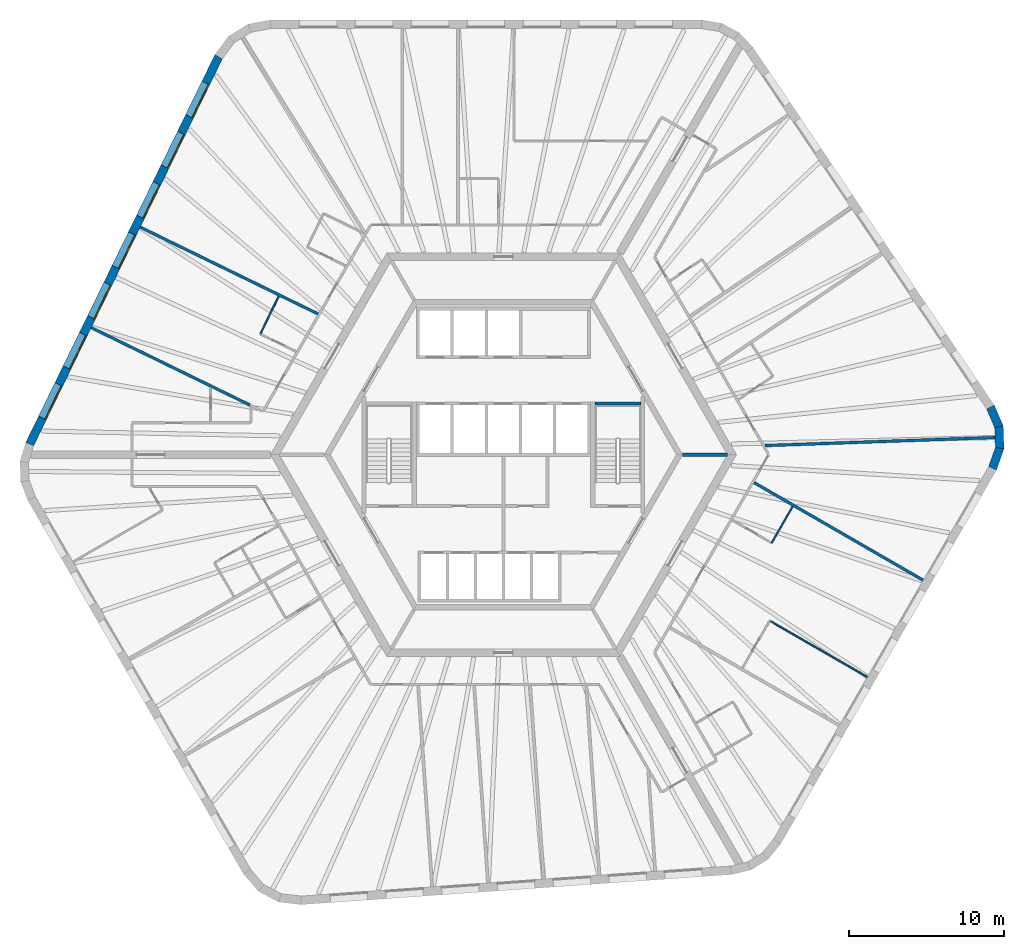
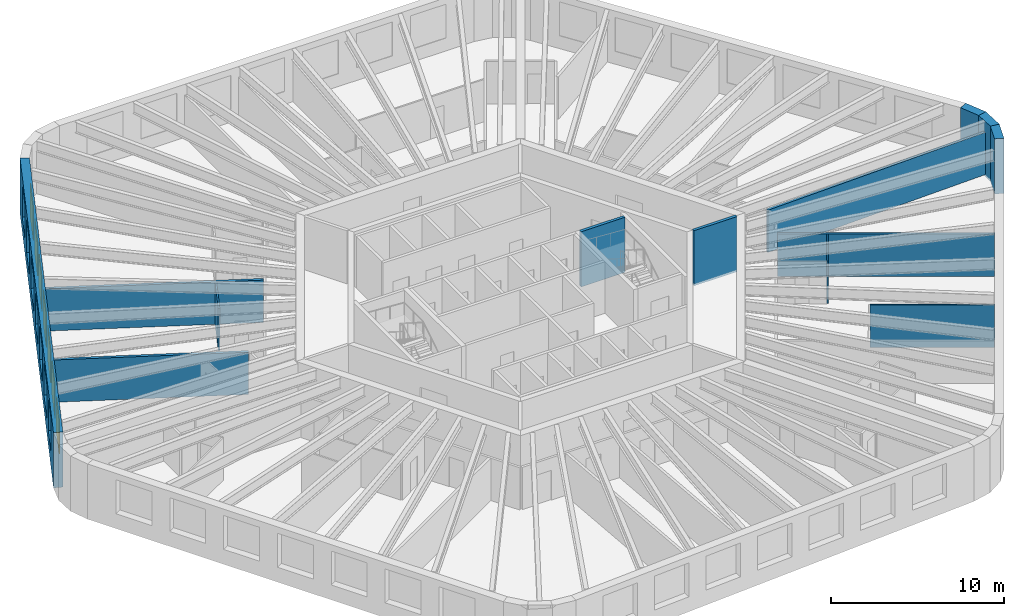
# One storey, part 6 of 10: 13 walls, 7 windows, 7 openings.
"""IFC4 building model written with IfcOpenShell, lengths in metres."""

from ifc_helpers import new_model, si_unit, direction, frame, frame_2d, origin, place, context, subcontext, project, spatial, polyline, rectangle, outline, extrude, material, layer, layer_set, type_object, element, fill, save


model = new_model("IFC4")

# Units and contexts
model_context = context("Model", 3, precision=1e-05, world=origin(), true_north=direction((0.0, 1.0)))
body_context = subcontext(model_context, "Body", "Model", "MODEL_VIEW")
ifc_project = project(units=[si_unit("LENGTHUNIT", "METRE"), si_unit("AREAUNIT", "SQUARE_METRE"), si_unit("VOLUMEUNIT", "CUBIC_METRE"), si_unit("PLANEANGLEUNIT", "RADIAN"), si_unit("MASSUNIT", "GRAM", prefix="KILO")], contexts=[model_context])

# Site, building, storey
site_placement = place(None, origin())
site = spatial("IfcSite", under=ifc_project, at=site_placement, CompositionType="ELEMENT")
building_placement = place(site_placement, origin())
building = spatial("IfcBuilding", under=site, at=building_placement, Name="Tarnside Tower", CompositionType="ELEMENT")
storey_placement = place(building_placement, frame((0.0, 0.0, 230.699951171875)))
storey = spatial("IfcBuildingStorey", under=building, at=storey_placement, Name="L55", CompositionType="ELEMENT", Elevation=230.699951171875)

# Walls
ifc_material_1 = material(Name="Gypsum board partition on steel studs", Category="steel")
ifc_layer_1 = layer(ifc_material_1, 0.10009765625)
ifc_layer_set_1 = layer_set([ifc_layer_1], Name="Bathroom wall 100")
wall_type_1 = type_object("IfcWallType", Name="Bathroom wall 100", PredefinedType="PARTITIONING", material=ifc_layer_set_1)
wall_1_placement = place(storey_placement, frame((-15.640625, 7.8154296875, 0.0), z_axis=(0.0, 0.0, 1.0), x_axis=(0.438380229518, 0.898789616299, 0.0)))
element("IfcWall", 1, at=wall_1_placement, inside=storey, type_object=wall_type_1, Name="Bathroom wall 18065", PredefinedType="PARTITIONING", context=body_context, shape_type="SweptSolid", body=[
    extrude(rectangle(XDim=2.659912109375, YDim=0.10009765625, at=frame_2d((1.330078125, 0.0))), origin(), (0.0, 0.0, 1.0), 2.98779296875),
])
wall_2_placement = place(storey_placement, frame((18.629150390625, -3.333251953125, 0.0), z_axis=(0.0, 0.0, 1.0), x_axis=(-0.499995396135, -0.866028061811, 0.0)))
element("IfcWall", 2, at=wall_2_placement, inside=storey, type_object=wall_type_1, Name="Bathroom wall 18092", PredefinedType="PARTITIONING", context=body_context, shape_type="SweptSolid", body=[
    extrude(rectangle(XDim=2.7099609375, YDim=0.10009765625, at=frame_2d((1.35498046875, 0.0))), origin(), (0.0, 0.0, 1.0), 2.98779296875),
])
ifc_layer_2 = layer(ifc_material_1, 0.179931640625)
ifc_layer_set_2 = layer_set([ifc_layer_2], Name="Demising wall 180 EI 60")
wall_type_2 = type_object("IfcWallType", Name="Demising wall 180 EI 60", PredefinedType="PARTITIONING", material=ifc_layer_set_2)
wall_3_placement = place(storey_placement, frame((-23.392822265625, 14.656005859375, 0.0), z_axis=(0.0, 0.0, 1.0), x_axis=(0.898790356386, -0.438378712152, 0.0)))
element("IfcWall", 3, at=wall_3_placement, inside=storey, type_object=wall_type_2, Name="Demising wall 18062", PredefinedType="PARTITIONING", context=body_context, shape_type="SweptSolid", body=[
    extrude(rectangle(XDim=12.742919921875, YDim=0.179931640625, at=frame_2d((6.37158203125, 0.0))), origin(), (0.0, 0.0, 1.0), 2.98779296875),
])
wall_4_placement = place(storey_placement, frame((-26.549072265625, 8.1845703125, 0.0), z_axis=(0.0, 0.0, 1.0), x_axis=(0.898794655758, -0.438369897211, 0.0)))
element("IfcWall", 4, at=wall_4_placement, inside=storey, type_object=wall_type_2, Name="Demising wall 18066", PredefinedType="PARTITIONING", context=body_context, shape_type="SweptSolid", body=[
    extrude(rectangle(XDim=11.36865234375, YDim=0.179931640625, at=frame_2d((5.684326171875, 0.0))), origin(), (0.0, 0.0, 1.0), 2.98779296875),
])
wall_5_placement = place(storey_placement, frame((27.03125, -8.080322265625, 0.0), z_axis=(0.0, 0.0, 1.0), x_axis=(-0.86602780907, 0.499995833901, 0.0)))
element("IfcWall", 5, at=wall_5_placement, inside=storey, type_object=wall_type_2, Name="Demising wall 18096", PredefinedType="PARTITIONING", context=body_context, shape_type="SweptSolid", body=[
    extrude(rectangle(XDim=12.57470703125, YDim=0.179931640625, at=frame_2d((6.287353515625, 0.0))), origin(), (0.0, 0.0, 1.0), 2.98779296875),
])
wall_6_placement = place(storey_placement, frame((31.66650390625, 1.105712890625, 0.0), z_axis=(0.0, 0.0, 1.0), x_axis=(-0.999390937365, -0.034896336667, 0.0)))
element("IfcWall", 6, at=wall_6_placement, inside=storey, type_object=wall_type_2, Name="Demising wall 18098", PredefinedType="PARTITIONING", context=body_context, shape_type="SweptSolid", body=[
    extrude(rectangle(XDim=14.8388671875, YDim=0.179931640625, at=frame_2d((7.41943359375, 0.0))), origin(), (0.0, 0.0, 1.0), 2.98779296875),
])
ifc_material_2 = material(Name="Concrete C40/50", Category="concrete")
ifc_layer_3 = layer(ifc_material_2, 0.199951171875)
ifc_layer_set_3 = layer_set([ifc_layer_3], Name="Lift shaft wall 200 C40/50")
wall_type_3 = type_object("IfcWallType", Name="Lift shaft wall 200 C40/50", PredefinedType="SHEAR", material=ifc_layer_set_3)
wall_7_placement = place(storey_placement, frame((11.547119140625, 0.0, -0.14990234375), z_axis=(0.0, 0.0, 1.0), x_axis=(1.0, 0.0, 0.0)))
element("IfcWall", 7, at=wall_7_placement, inside=storey, type_object=wall_type_3, Name="L55 core partition AR0", PredefinedType="SHEAR", context=body_context, shape_type="SweptSolid", body=[
    extrude(rectangle(XDim=2.88671875, YDim=0.199951171875, at=frame_2d((1.443359375, 0.0))), origin(), (0.0, 0.0, 1.0), 3.89990234375),
])
wall_8_placement = place(storey_placement, frame((5.89990234375, 3.300048828125, -0.25), z_axis=(0.0, 0.0, 1.0), x_axis=(1.0, 0.0, 0.0)))
element("IfcWall", 8, at=wall_8_placement, inside=storey, type_object=wall_type_3, Name="L55 stair 1 enclosure cap wall n", PredefinedType="SHEAR", context=body_context, shape_type="SweptSolid", body=[
    extrude(rectangle(XDim=2.9501953125, YDim=0.199951171875, at=frame_2d((1.47509765625, 0.0))), origin(), (0.0, 0.0, 1.0), 3.900146484375),
])
ifc_layer_4 = layer(ifc_material_1, 0.10009765625)
ifc_layer_set_4 = layer_set([ifc_layer_4], Name="Partition 100")
wall_type_4 = type_object("IfcWallType", Name="Partition 100", PredefinedType="PARTITIONING", material=ifc_layer_set_4)
wall_9_placement = place(storey_placement, frame((17.196044921875, -10.7158203125, 0.0), z_axis=(0.0, 0.0, 1.0), x_axis=(0.866033125095, -0.499986626058, 0.0)))
element("IfcWall", 9, at=wall_9_placement, inside=storey, type_object=wall_type_4, Name="Partition wall 18095", PredefinedType="PARTITIONING", context=body_context, shape_type="SweptSolid", body=[
    extrude(rectangle(XDim=7.199951171875, YDim=0.10009765625, at=frame_2d((3.60009765625, 0.0))), origin(), (0.0, 0.0, 1.0), 2.98779296875),
])

# Wall, openings, windows
ifc_material_3 = material(Name="Facing brick", Category="masonry")
ifc_layer_5 = layer(ifc_material_3, 0.10205078125)
ifc_material_4 = material(Name="Concrete C60/75 precast", Category="concrete")
ifc_layer_6 = layer(ifc_material_4, 0.347900390625)
ifc_material_5 = material(Name="Mineral wool insulation")
ifc_layer_7 = layer(ifc_material_5, 0.10009765625)
ifc_layer_set_5 = layer_set([ifc_layer_5, ifc_layer_6, ifc_layer_7], Name="Tube wall 550 brick faced")
wall_type_5 = type_object("IfcWallType", Name="Tube wall 550 brick faced", PredefinedType="SOLIDWALL", material=ifc_layer_set_5)
wall_10_placement = place(storey_placement, frame((-18.344970703125, 25.6328125, -0.14990234375), z_axis=(0.0, 0.0, 1.0), x_axis=(-0.43837181828, -0.898793718791, 0.0)))
wall_10 = element("IfcWall", 10, at=wall_10_placement, inside=storey, type_object=wall_type_5, Name="Tube wall L55 F2 flush 04", PredefinedType="SOLIDWALL", context=body_context, shape_type="SweptSolid", body=[
    extrude(outline(polyline([(-0.025634765625, -0.27490234375), (27.7802734375, -0.27490234375), (27.7353515625, 0.27490234375), (0.025634765625, 0.27490234375), (-0.025634765625, -0.27490234375)])), origin(), (0.0, 0.0, 1.0), 3.89990234375),
])
opening_1_placement = place(wall_10_placement, frame((1.87890625, 0.0, 1.050048828125)))
opening_1 = element("IfcOpeningElement", 11, at=opening_1_placement, cuts=wall_10, Name="Opening WH", PredefinedType="OPENING", context=body_context, shape_type="SweptSolid", body=[
    extrude(rectangle(XDim=2.39990234375, YDim=2.39990234375, at=frame_2d((1.199951171875, 1.199951171875))), frame((0.0, 0.28515625, 0.0), z_axis=(0.0, -1.0, 0.0), x_axis=(1.0, 0.0, 0.0)), (0.0, 0.0, 1.0), 0.570068359375),
])
opening_2_placement = place(wall_10_placement, frame((5.47900390625, 0.0, 1.050048828125)))
opening_2 = element("IfcOpeningElement", 12, at=opening_2_placement, cuts=wall_10, Name="Opening WH", PredefinedType="OPENING", context=body_context, shape_type="SweptSolid", body=[
    extrude(rectangle(XDim=2.39990234375, YDim=2.39990234375, at=frame_2d((1.199951171875, 1.199951171875))), frame((0.0, 0.28515625, 0.0), z_axis=(0.0, -1.0, 0.0), x_axis=(1.0, 0.0, 0.0)), (0.0, 0.0, 1.0), 0.570068359375),
])
opening_3_placement = place(wall_10_placement, frame((9.078857421875, 0.0, 1.050048828125)))
opening_3 = element("IfcOpeningElement", 13, at=opening_3_placement, cuts=wall_10, Name="Opening WH", PredefinedType="OPENING", context=body_context, shape_type="SweptSolid", body=[
    extrude(rectangle(XDim=2.39990234375, YDim=2.39990234375, at=frame_2d((1.199951171875, 1.199951171875))), frame((0.0, 0.28515625, 0.0), z_axis=(0.0, -1.0, 0.0), x_axis=(1.0, 0.0, 0.0)), (0.0, 0.0, 1.0), 0.570068359375),
])
opening_4_placement = place(wall_10_placement, frame((12.678955078125, 0.0, 1.050048828125)))
opening_4 = element("IfcOpeningElement", 14, at=opening_4_placement, cuts=wall_10, Name="Opening WH", PredefinedType="OPENING", context=body_context, shape_type="SweptSolid", body=[
    extrude(rectangle(XDim=2.39990234375, YDim=2.39990234375, at=frame_2d((1.199951171875, 1.199951171875))), frame((0.0, 0.28515625, 0.0), z_axis=(0.0, -1.0, 0.0), x_axis=(1.0, 0.0, 0.0)), (0.0, 0.0, 1.0), 0.570068359375),
])
opening_5_placement = place(wall_10_placement, frame((16.27880859375, 0.0, 1.050048828125)))
opening_5 = element("IfcOpeningElement", 15, at=opening_5_placement, cuts=wall_10, Name="Opening WH", PredefinedType="OPENING", context=body_context, shape_type="SweptSolid", body=[
    extrude(rectangle(XDim=2.39990234375, YDim=2.39990234375, at=frame_2d((1.199951171875, 1.199951171875))), frame((0.0, 0.28515625, 0.0), z_axis=(0.0, -1.0, 0.0), x_axis=(1.0, 0.0, 0.0)), (0.0, 0.0, 1.0), 0.570068359375),
])
opening_6_placement = place(wall_10_placement, frame((19.87890625, 0.0, 1.050048828125)))
opening_6 = element("IfcOpeningElement", 16, at=opening_6_placement, cuts=wall_10, Name="Opening WH", PredefinedType="OPENING", context=body_context, shape_type="SweptSolid", body=[
    extrude(rectangle(XDim=2.39990234375, YDim=2.39990234375, at=frame_2d((1.199951171875, 1.199951171875))), frame((0.0, 0.28515625, 0.0), z_axis=(0.0, -1.0, 0.0), x_axis=(1.0, 0.0, 0.0)), (0.0, 0.0, 1.0), 0.570068359375),
])
opening_7_placement = place(wall_10_placement, frame((23.47900390625, 0.0, 1.050048828125)))
opening_7 = element("IfcOpeningElement", 17, at=opening_7_placement, cuts=wall_10, Name="Opening WH", PredefinedType="OPENING", context=body_context, shape_type="SweptSolid", body=[
    extrude(rectangle(XDim=2.39990234375, YDim=2.39990234375, at=frame_2d((1.199951171875, 1.199951171875))), frame((0.0, 0.28515625, 0.0), z_axis=(0.0, -1.0, 0.0), x_axis=(1.0, 0.0, 0.0)), (0.0, 0.0, 1.0), 0.570068359375),
])
ifc_material_6 = material(Name="Aluminium-framed double glazing", Category="aluminium")
window_type = type_object("IfcWindowType", Name="Hotel window 2400 x 2400", PartitioningType="DOUBLE_PANEL_VERTICAL", PredefinedType="WINDOW", material=ifc_material_6)
window_1_placement = place(opening_1_placement, frame((0.0, 0.205078125, 0.0)))
window_1 = element("IfcWindow", 18, at=window_1_placement, inside=storey, type_object=window_type, Name="E.WN.L55.F2.00", OverallHeight=2.39990234375, OverallWidth=2.39990234375, PartitioningType="DOUBLE_PANEL_VERTICAL", PredefinedType="WINDOW", context=body_context, shape_type="SweptSolid", body=[
    extrude(rectangle(XDim=2.39990234375, YDim=2.39990234375, at=frame_2d((1.199951171875, 1.199951171875))), frame((0.0, 0.030029296875, 0.0), z_axis=(0.0, -1.0, 0.0), x_axis=(1.0, 0.0, 0.0)), (0.0, 0.0, 1.0), 0.06005859375),
])
fill(opening_1, window_1)
window_2_placement = place(opening_2_placement, frame((0.0, 0.205078125, 0.0)))
window_2 = element("IfcWindow", 19, at=window_2_placement, inside=storey, type_object=window_type, Name="E.WN.L55.F2.01", OverallHeight=2.39990234375, OverallWidth=2.39990234375, PartitioningType="DOUBLE_PANEL_VERTICAL", PredefinedType="WINDOW", context=body_context, shape_type="SweptSolid", body=[
    extrude(rectangle(XDim=2.39990234375, YDim=2.39990234375, at=frame_2d((1.199951171875, 1.199951171875))), frame((0.0, 0.030029296875, 0.0), z_axis=(0.0, -1.0, 0.0), x_axis=(1.0, 0.0, 0.0)), (0.0, 0.0, 1.0), 0.06005859375),
])
fill(opening_2, window_2)
window_3_placement = place(opening_3_placement, frame((0.0, 0.205078125, 0.0)))
window_3 = element("IfcWindow", 20, at=window_3_placement, inside=storey, type_object=window_type, Name="E.WN.L55.F2.02", OverallHeight=2.39990234375, OverallWidth=2.39990234375, PartitioningType="DOUBLE_PANEL_VERTICAL", PredefinedType="WINDOW", context=body_context, shape_type="SweptSolid", body=[
    extrude(rectangle(XDim=2.39990234375, YDim=2.39990234375, at=frame_2d((1.199951171875, 1.199951171875))), frame((0.0, 0.030029296875, 0.0), z_axis=(0.0, -1.0, 0.0), x_axis=(1.0, 0.0, 0.0)), (0.0, 0.0, 1.0), 0.06005859375),
])
fill(opening_3, window_3)
window_4_placement = place(opening_4_placement, frame((0.0, 0.205078125, 0.0)))
window_4 = element("IfcWindow", 21, at=window_4_placement, inside=storey, type_object=window_type, Name="E.WN.L55.F2.03", OverallHeight=2.39990234375, OverallWidth=2.39990234375, PartitioningType="DOUBLE_PANEL_VERTICAL", PredefinedType="WINDOW", context=body_context, shape_type="SweptSolid", body=[
    extrude(rectangle(XDim=2.39990234375, YDim=2.39990234375, at=frame_2d((1.199951171875, 1.199951171875))), frame((0.0, 0.030029296875, 0.0), z_axis=(0.0, -1.0, 0.0), x_axis=(1.0, 0.0, 0.0)), (0.0, 0.0, 1.0), 0.06005859375),
])
fill(opening_4, window_4)
window_5_placement = place(opening_5_placement, frame((0.0, 0.205078125, 0.0)))
window_5 = element("IfcWindow", 22, at=window_5_placement, inside=storey, type_object=window_type, Name="E.WN.L55.F2.04", OverallHeight=2.39990234375, OverallWidth=2.39990234375, PartitioningType="DOUBLE_PANEL_VERTICAL", PredefinedType="WINDOW", context=body_context, shape_type="SweptSolid", body=[
    extrude(rectangle(XDim=2.39990234375, YDim=2.39990234375, at=frame_2d((1.199951171875, 1.199951171875))), frame((0.0, 0.030029296875, 0.0), z_axis=(0.0, -1.0, 0.0), x_axis=(1.0, 0.0, 0.0)), (0.0, 0.0, 1.0), 0.06005859375),
])
fill(opening_5, window_5)
window_6_placement = place(opening_6_placement, frame((0.0, 0.205078125, 0.0)))
window_6 = element("IfcWindow", 23, at=window_6_placement, inside=storey, type_object=window_type, Name="E.WN.L55.F2.05", OverallHeight=2.39990234375, OverallWidth=2.39990234375, PartitioningType="DOUBLE_PANEL_VERTICAL", PredefinedType="WINDOW", context=body_context, shape_type="SweptSolid", body=[
    extrude(rectangle(XDim=2.39990234375, YDim=2.39990234375, at=frame_2d((1.199951171875, 1.199951171875))), frame((0.0, 0.030029296875, 0.0), z_axis=(0.0, -1.0, 0.0), x_axis=(1.0, 0.0, 0.0)), (0.0, 0.0, 1.0), 0.06005859375),
])
fill(opening_6, window_6)
window_7_placement = place(opening_7_placement, frame((0.0, 0.205078125, 0.0)))
window_7 = element("IfcWindow", 24, at=window_7_placement, inside=storey, type_object=window_type, Name="E.WN.L55.F2.06", OverallHeight=2.39990234375, OverallWidth=2.39990234375, PartitioningType="DOUBLE_PANEL_VERTICAL", PredefinedType="WINDOW", context=body_context, shape_type="SweptSolid", body=[
    extrude(rectangle(XDim=2.39990234375, YDim=2.39990234375, at=frame_2d((1.199951171875, 1.199951171875))), frame((0.0, 0.030029296875, 0.0), z_axis=(0.0, -1.0, 0.0), x_axis=(1.0, 0.0, 0.0)), (0.0, 0.0, 1.0), 0.06005859375),
])
fill(opening_7, window_7)

# Walls
wall_11_placement = place(storey_placement, frame((31.509033203125, -0.874755859375, -0.14990234375), z_axis=(0.0, 0.0, 1.0), x_axis=(0.33111537203, 0.943590276765, 0.0)))
element("IfcWall", 25, at=wall_11_placement, inside=storey, type_object=wall_type_5, Name="Tube wall L55 F5 chord 17", PredefinedType="SOLIDWALL", context=body_context, shape_type="SweptSolid", body=[
    extrude(outline(polyline([(-0.025634765625, -0.27490234375), (1.4306640625, -0.27490234375), (1.3271484375, 0.27490234375), (0.025634765625, 0.27490234375), (-0.025634765625, -0.27490234375)])), origin(), (0.0, 0.0, 1.0), 3.89990234375),
])
wall_12_placement = place(storey_placement, frame((31.965576171875, 0.42626953125, -0.14990234375), z_axis=(0.0, 0.0, 1.0), x_axis=(-0.034876908462, 0.999391615562, 0.0)))
element("IfcWall", 26, at=wall_12_placement, inside=storey, type_object=wall_type_5, Name="Tube wall L55 F5 chord 18", PredefinedType="SOLIDWALL", context=body_context, shape_type="SweptSolid", body=[
    extrude(outline(polyline([(-0.0517578125, -0.27490234375), (1.4306640625, -0.27490234375), (1.3271484375, 0.27490234375), (0.0517578125, 0.27490234375), (-0.0517578125, -0.27490234375)])), origin(), (0.0, 0.0, 1.0), 3.89990234375),
])
wall_13_placement = place(storey_placement, frame((31.91748046875, 1.804443359375, -0.14990234375), z_axis=(0.0, 0.0, 1.0), x_axis=(-0.396225741392, 0.918153125496, 0.0)))
element("IfcWall", 27, at=wall_13_placement, inside=storey, type_object=wall_type_5, Name="Tube wall L55 F5 chord 19", PredefinedType="SOLIDWALL", context=body_context, shape_type="SweptSolid", body=[
    extrude(outline(polyline([(-0.0517578125, -0.27490234375), (1.404541015625, -0.27490234375), (1.353271484375, 0.27490234375), (0.0517578125, 0.27490234375), (-0.0517578125, -0.27490234375)])), origin(), (0.0, 0.0, 1.0), 3.89990234375),
])

save(model, "model.ifc")
